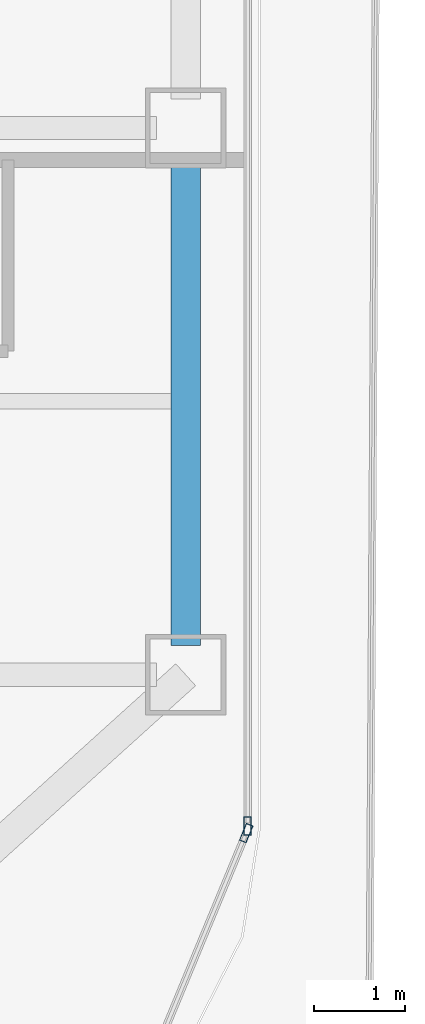
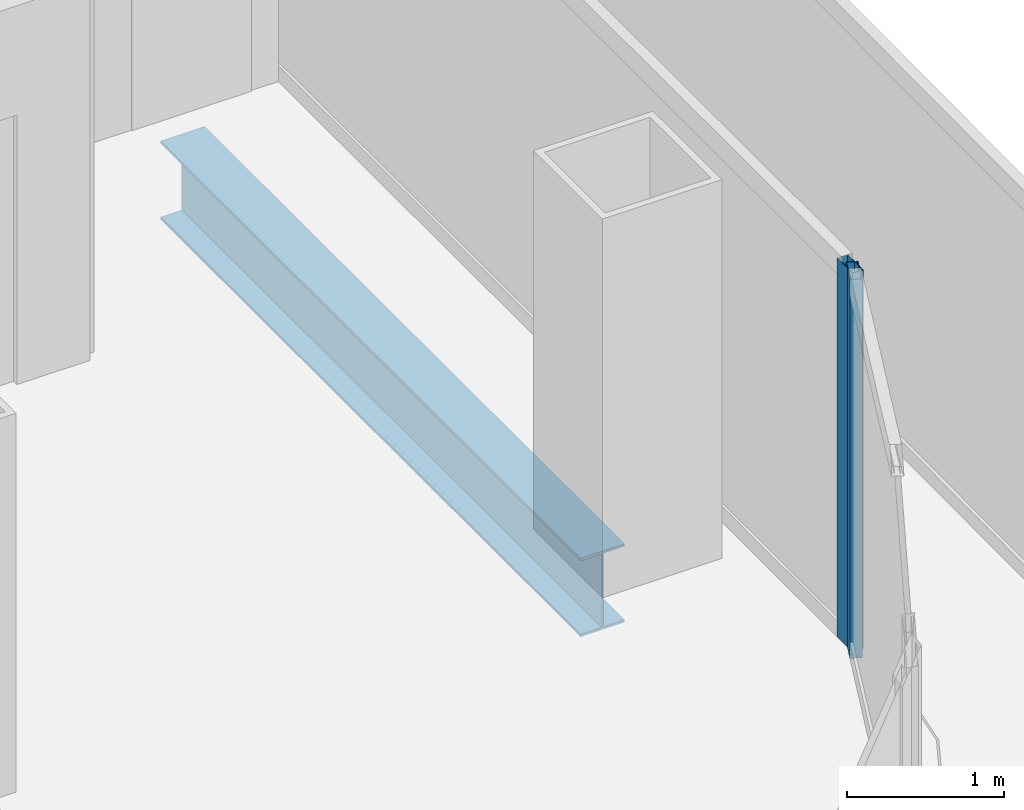
# One storey, part 8 of 21: 2 members, 1 beam, 2 elements without a shape of their own.
"""IFC4 building model written with IfcOpenShell, lengths in metres."""

from ifc_helpers import new_model, si_unit, direction, frame, origin, origin_2d, place, context, subcontext, project, spatial, hollow_rectangle, i_section, extrude, source, transform, mapped, material, layer, layer_set, material_profile, profile_set, type_object, element, aggregate, save


model = new_model("IFC4")

# Units and contexts
model_context = context("Model", 3, precision=1e-05, world=origin(), true_north=direction((0.0, 1.0)))
body_context = subcontext(model_context, "Body", "Model", "MODEL_VIEW")
ifc_project = project(units=[si_unit("LENGTHUNIT", "METRE"), si_unit("AREAUNIT", "SQUARE_METRE"), si_unit("VOLUMEUNIT", "CUBIC_METRE"), si_unit("PLANEANGLEUNIT", "RADIAN"), si_unit("MASSUNIT", "GRAM", prefix="KILO")], contexts=[model_context])

# Site, building, storey
site_placement = place(None, origin())
site = spatial("IfcSite", under=ifc_project, at=site_placement, CompositionType="ELEMENT")
building_placement = place(site_placement, origin())
building = spatial("IfcBuilding", under=site, at=building_placement, Name="Kolveth Station Tower", CompositionType="ELEMENT")
storey_placement = place(building_placement, frame((0.0, 0.0, 131.10009765625)))
storey = spatial("IfcBuildingStorey", under=building, at=storey_placement, Name="L36", CompositionType="ELEMENT", Elevation=131.10009765625)

# Beam
ifc_material_1 = material(Name="Steel S355", Category="steel")
ifc_material_profile_1 = material_profile(ifc_material_1, i_section(OverallWidth=0.323974609375, OverallDepth=0.611083984375, WebThickness=0.0126953125, FlangeThickness=0.01904296875, at=origin_2d()), Name="W610x155")
ifc_profile_set_1 = profile_set([ifc_material_profile_1], Name="Steel S355")
beam_type = type_object("IfcBeamType", Name="Beam_SP2", PredefinedType="SPANDREL", material=ifc_profile_set_1)
shared_shape_1 = source(origin(), body_context, "Body", "SweptSolid", [
    extrude(i_section(OverallWidth=0.323974609375, OverallDepth=0.611083984375, WebThickness=0.0126953125, FlangeThickness=0.01904296875, at=origin_2d()), origin(), (0.0, 0.0, 1.0), 5.35986328125),
])
beam_placement = place(storey_placement, frame((46.199951171875, 5.820068359375, -0.5556640625), z_axis=(0.0, 1.0, 0.0), x_axis=(-1.0, 0.0, 0.0)))
element("IfcBeam", 1, at=beam_placement, inside=storey, type_object=beam_type, Name="L36 Perimeter Spandrel BM-L36-PE-1", PredefinedType="SPANDREL", context=body_context, shape_type="MappedRepresentation", body=[
    mapped(shared_shape_1, transform((0.0, 0.0, 0.0), x_axis=(1.0, 0.0, 0.0), y_axis=(0.0, 1.0, 0.0), z_axis=(0.0, 0.0, 1.0), scale=1.0)),
])

# Curtain wall, member
ifc_material_2 = material(Name="Aluminium 6063-T6 and low-E dark glass", Category="aluminium")
ifc_layer = layer(ifc_material_2, 0.18994140625)
ifc_layer_set = layer_set([ifc_layer], Name="Aluminium 6063-T6 and low-E dark glass")
curtain_wall_type = type_object("IfcCurtainWallType", Name="CurtainWall_CW-Z2", PredefinedType="NOTDEFINED", material=ifc_layer_set)
curtain_wall_1_placement = place(storey_placement, origin())
curtain_wall_1 = element("IfcCurtainWall", 2, at=curtain_wall_1_placement, inside=storey, type_object=curtain_wall_type, Name="L36 Inner Thermal Curtain Wall 2", PredefinedType="NOTDEFINED")
ifc_material_3 = material(Name="Black anodized aluminium 6063-T6", Category="aluminium")
ifc_material_profile_2 = material_profile(ifc_material_3, hollow_rectangle(XDim=0.080078125, YDim=0.199951171875, WallThickness=0.0048828125, at=origin_2d()), Name="ALU-80x200x5")
ifc_profile_set_2 = profile_set([ifc_material_profile_2], Name="Black anodized aluminium 6063-T6")
member_type = type_object("IfcMemberType", Name="Mullion_ML2", PredefinedType="MULLION", material=ifc_profile_set_2)
shared_shape_2 = source(origin(), body_context, "Body", "SweptSolid", [
    extrude(hollow_rectangle(XDim=0.080078125, YDim=0.199951171875, WallThickness=0.0048828125, at=origin_2d()), origin(), (0.0, 0.0, 1.0), 2.949951171875),
])
member_1_placement = place(storey_placement, frame((46.86474609375, 3.762939453125, 0.0), z_axis=(0.0, 0.0, 1.0), x_axis=(-0.923887883787, 0.38266326998, 0.0)))
member_1 = element("IfcMember", 3, at=member_1_placement, type_object=member_type, Name="CW-Z2 mullion 2", PredefinedType="MULLION", context=body_context, shape_type="MappedRepresentation", body=[
    mapped(shared_shape_2, transform((0.0, 0.0, 0.0), x_axis=(1.0, 0.0, 0.0), y_axis=(0.0, 1.0, 0.0), z_axis=(0.0, 0.0, 1.0), scale=1.0)),
])
aggregate(curtain_wall_1, [member_1])

curtain_wall_2_placement = place(storey_placement, origin())
curtain_wall_2 = element("IfcCurtainWall", 4, at=curtain_wall_2_placement, inside=storey, type_object=curtain_wall_type, Name="L36 Inner Thermal Curtain Wall 3", PredefinedType="NOTDEFINED")
member_2_placement = place(storey_placement, frame((46.8798828125, 3.840087890625, 0.0), z_axis=(0.0, 0.0, 1.0), x_axis=(-1.0, 0.0, 0.0)))
member_2 = element("IfcMember", 5, at=member_2_placement, type_object=member_type, Name="CW-Z2 mullion 1", PredefinedType="MULLION", context=body_context, shape_type="MappedRepresentation", body=[
    mapped(shared_shape_2, transform((0.0, 0.0, 0.0), x_axis=(1.0, 0.0, 0.0), y_axis=(0.0, 1.0, 0.0), z_axis=(0.0, 0.0, 1.0), scale=1.0)),
])
aggregate(curtain_wall_2, [member_2])

save(model, "model.ifc")
